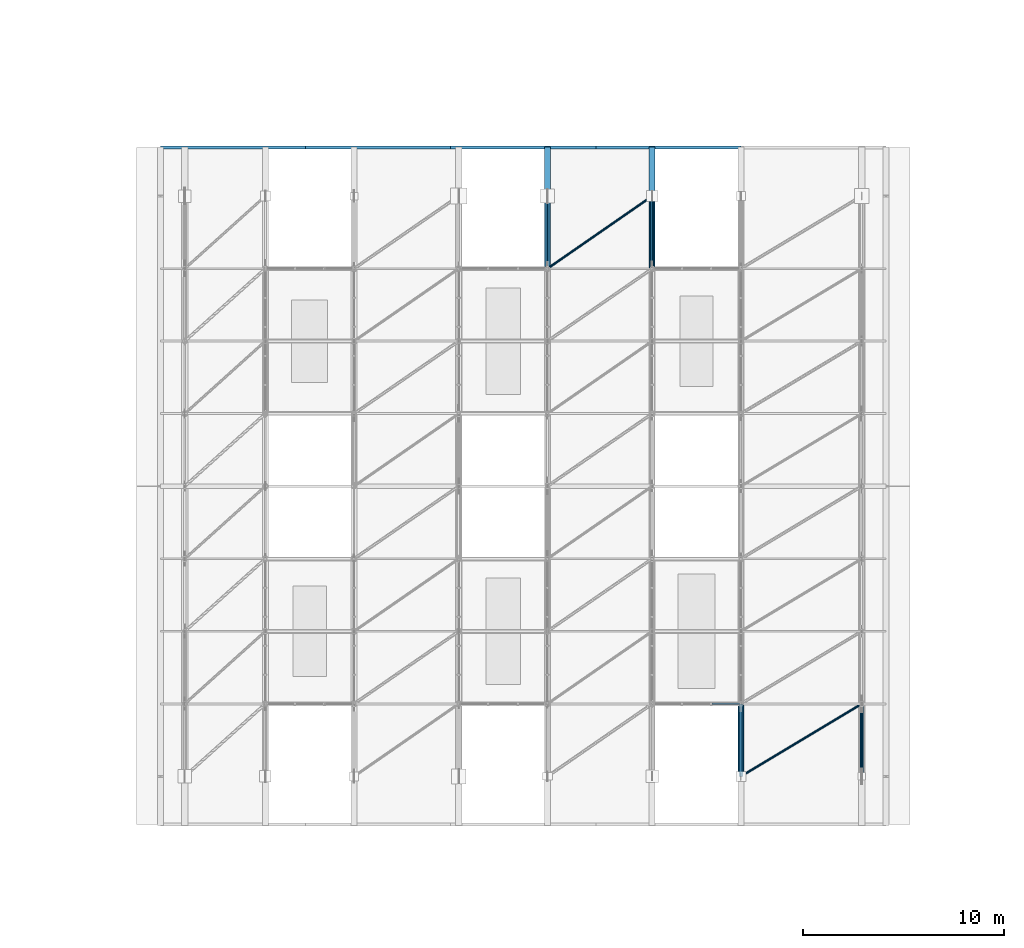
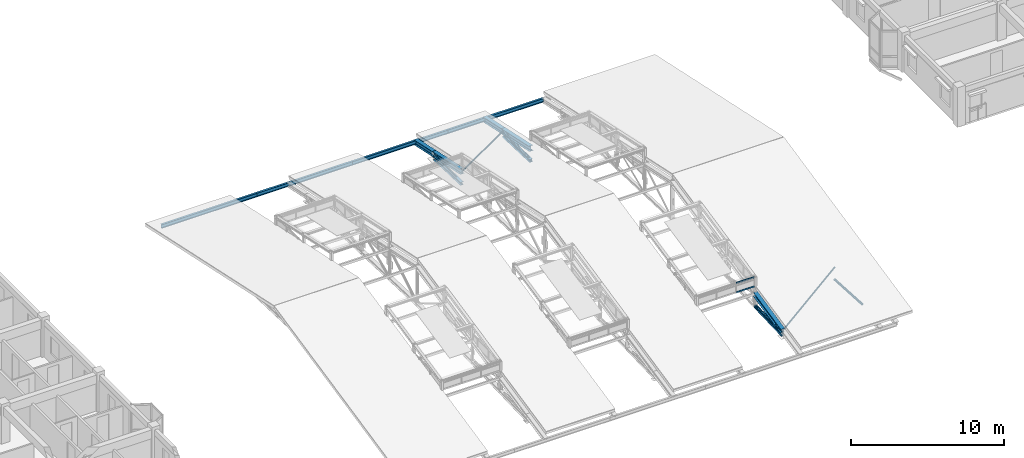
# One storey, part 42 of 124: 16 members, 4 beams, 1 element without a shape of its own.
"""IFC4 building model written with IfcOpenShell, lengths in metres."""

from ifc_helpers import new_model, si_unit, direction, frame, origin, origin_2d, place, context, subcontext, project, spatial, hollow_rectangle, hollow_circle, i_section, extrude, material, layer, layer_set, material_profile, profile_set, type_object, element, aggregate, save


model = new_model("IFC4")

# Units and contexts
model_context = context("Model", 3, precision=1e-05, world=origin(), true_north=direction((0.0, 1.0)))
body_context = subcontext(model_context, "Body", "Model", "MODEL_VIEW")
ifc_project = project(units=[si_unit("LENGTHUNIT", "METRE"), si_unit("AREAUNIT", "SQUARE_METRE"), si_unit("VOLUMEUNIT", "CUBIC_METRE"), si_unit("PLANEANGLEUNIT", "RADIAN"), si_unit("MASSUNIT", "GRAM", prefix="KILO"), si_unit("THERMODYNAMICTEMPERATUREUNIT", "KELVIN"), si_unit("POWERUNIT", "WATT")], contexts=[model_context])

# Site, building, storey
site_placement = place(None, origin())
site = spatial("IfcSite", under=ifc_project, at=site_placement, CompositionType="ELEMENT")
building_placement = place(site_placement, origin())
building = spatial("IfcBuilding", under=site, at=building_placement, Name="Tavuni Mirador Residences", CompositionType="ELEMENT")
storey_placement = place(building_placement, frame((0.0, 0.0, 7.64990234375)))
storey = spatial("IfcBuildingStorey", under=building, at=storey_placement, Name="L02", CompositionType="ELEMENT", Elevation=7.64990234375)

# Beams
ifc_material_1 = material(Name="Structural steel S355", Category="steel")
ifc_material_profile_1 = material_profile(ifc_material_1, i_section(OverallWidth=0.14990234375, OverallDepth=0.300048828125, WebThickness=0.007080078125, FlangeThickness=0.0107421875, FilletRadius=0.014892578125, at=origin_2d()), Name="IPE 300", Category="steel")
ifc_profile_set_1 = profile_set([ifc_material_profile_1], Name="Structural steel S355")
beam_type = type_object("IfcBeamType", Name="BT-ST-IPE300", PredefinedType="BEAM", material=ifc_profile_set_1)
for number, where, z_axis, x_axis, name in (
    (1, (39.60009765625, 103.199951171875, -0.6865234375), (1.0, 0.0, 0.0), (0.0, 1.0, 0.0), "HALL-ERING-N-00"),
    (2, (46.800048828125, 103.199951171875, -0.6865234375), (1.0, 0.0, 0.0), (0.0, 1.0, 0.0), "HALL-ERING-N-01"),
    (3, (54.0, 103.199951171875, -0.6865234375), (1.0, 0.0, 0.0), (0.0, 1.0, 0.0), "HALL-ERING-N-02"),
    (4, (61.199951171875, 103.199951171875, -0.6865234375), (1.0, 0.0, 0.0), (0.0, 1.0, 0.0), "HALL-ERING-N-03"),
):
    element("IfcBeam", number, at=place(storey_placement, frame(where, z_axis=z_axis, x_axis=x_axis)), inside=storey, type_object=beam_type, Name=name, PredefinedType="BEAM", context=body_context, shape_type="SweptSolid", body=[
        extrude(i_section(OverallWidth=0.14990234375, OverallDepth=0.300048828125, WebThickness=0.007080078125, FlangeThickness=0.0107421875, FilletRadius=0.014892578125, at=origin_2d()), origin(), (0.0, 0.0, 1.0), 7.199951171875),
    ])

# Curtain wall, members
ifc_material_2 = material(Name="Anodised aluminium", Category="aluminium")
ifc_layer = layer(ifc_material_2, 0.199951171875, Name="Anodised aluminium", Category="aluminium")
ifc_layer_set = layer_set([ifc_layer], Name="Anodised aluminium")
curtain_wall_type = type_object("IfcCurtainWallType", Name="CWT-HAL-01", PredefinedType="NOTDEFINED", material=ifc_layer_set)
curtain_wall_placement = place(storey_placement, origin())
curtain_wall = element("IfcCurtainWall", 5, at=curtain_wall_placement, inside=storey, type_object=curtain_wall_type, Name="CW-HALL-MON-S3-END", PredefinedType="NOTDEFINED")
ifc_material_profile_2 = material_profile(ifc_material_2, hollow_rectangle(XDim=0.06005859375, YDim=0.110107421875, WallThickness=0.00390625, at=origin_2d()), Name="ALU 60x110x4.0", Category="aluminium")
ifc_profile_set_2 = profile_set([ifc_material_profile_2], Name="Anodised aluminium")
member_type_1 = type_object("IfcMemberType", Name="CWT-110", PredefinedType="USERDEFINED", material=ifc_profile_set_2)
member_1_placement = place(storey_placement, frame((66.96337890625, 75.60009765625, 1.205078125), z_axis=(1.0, 0.0, 0.0), x_axis=(0.0, 1.0, 0.0)))
member_1 = element("IfcMember", 6, at=member_1_placement, type_object=member_type_1, Name="CW-06 transom 3.1", ObjectType="TRANSOM", PredefinedType="USERDEFINED", context=body_context, shape_type="SweptSolid", body=[
    extrude(hollow_rectangle(XDim=0.06005859375, YDim=0.110107421875, WallThickness=0.00390625, at=origin_2d()), origin(), (0.0, 0.0, 1.0), 1.376708984375),
])
member_2_placement = place(storey_placement, frame((66.96337890625, 75.60009765625, 1.93505859375), z_axis=(1.0, 0.0, 0.0), x_axis=(0.0, 1.0, 0.0)))
member_2 = element("IfcMember", 7, at=member_2_placement, type_object=member_type_1, Name="CW-06 transom 3.2", ObjectType="TRANSOM", PredefinedType="USERDEFINED", context=body_context, shape_type="SweptSolid", body=[
    extrude(hollow_rectangle(XDim=0.06005859375, YDim=0.110107421875, WallThickness=0.00390625, at=origin_2d()), origin(), (0.0, 0.0, 1.0), 1.376708984375),
])
aggregate(curtain_wall, [member_1, member_2])

# Members
ifc_material_profile_3 = material_profile(ifc_material_1, hollow_circle(Radius=0.05712890625, WallThickness=0.00634765625, at=origin_2d()), Name="CHS 114.3x6.3", Category="steel")
ifc_profile_set_3 = profile_set([ifc_material_profile_3], Name="Structural steel S355")
member_type_2 = type_object("IfcMemberType", Name="MT-BR-CHS114", PredefinedType="BRACE", material=ifc_profile_set_3)
member_3_placement = place(storey_placement, frame((58.800048828125, 97.199951171875, 0.60498046875), z_axis=(0.81607988035, 0.564999010077, -0.12161310579), x_axis=(-0.569224029849, 0.822182463838, 0.0)))
element("IfcMember", 8, at=member_3_placement, inside=storey, type_object=member_type_2, Name="HALL-RB-3-08", PredefinedType="BRACE", context=body_context, shape_type="SweptSolid", body=[
    extrude(hollow_circle(Radius=0.05712890625, WallThickness=0.00634765625, at=origin_2d()), origin(), (0.0, 0.0, 1.0), 6.371826171875),
])
member_4_placement = place(storey_placement, frame((68.39990234375, 72.0, -0.169921875), z_axis=(0.852276366217, 0.511379691416, 0.110071825617), x_axis=(-0.514506017516, 0.857486768376, 0.0)))
element("IfcMember", 9, at=member_4_placement, inside=storey, type_object=member_type_2, Name="HALL-RB-4-01", PredefinedType="BRACE", context=body_context, shape_type="SweptSolid", body=[
    extrude(hollow_circle(Radius=0.05712890625, WallThickness=0.00634765625, at=origin_2d()), origin(), (0.0, 0.0, 1.0), 7.0400390625),
])
ifc_material_profile_4 = material_profile(ifc_material_1, hollow_circle(Radius=0.084228515625, WallThickness=0.008056640625, at=origin_2d()), Name="CHS 168.3x8.0", Category="steel")
ifc_profile_set_4 = profile_set([ifc_material_profile_4], Name="Structural steel S355")
member_type_3 = type_object("IfcMemberType", Name="MT-BR-CHS168", PredefinedType="BRACE", material=ifc_profile_set_4)
member_5_placement = place(storey_placement, frame((74.39990234375, 72.0, -0.169921875), z_axis=(0.0, 0.998381455169, -0.05687240081), x_axis=(-1.0, 0.0, 0.0)))
element("IfcMember", 10, at=member_5_placement, inside=storey, type_object=member_type_3, Name="Roof truss TR-8 web diagonal 1", PredefinedType="BRACE", context=body_context, shape_type="SweptSolid", body=[
    extrude(hollow_circle(Radius=0.084228515625, WallThickness=0.008056640625, at=origin_2d()), origin(), (0.0, 0.0, 1.0), 3.60595703125),
])
ifc_material_profile_5 = material_profile(ifc_material_1, hollow_circle(Radius=0.096923828125, WallThickness=0.010009765625, at=origin_2d()), Name="CHS 193.7x10.0", Category="steel")
ifc_profile_set_5 = profile_set([ifc_material_profile_5], Name="Structural steel S355")
member_type_4 = type_object("IfcMemberType", Name="MT-BR-CHS193", PredefinedType="BRACE", material=ifc_profile_set_5)
for number, where, z_axis, x_axis, name in (
    (11, (64.0, 97.199951171875, -0.375), (0.0, 0.998381455169, 0.05687240081), (-1.0, 0.0, 0.0), "Roof truss TR-6 web diagonal 8"),
    (12, (68.39990234375, 72.0, -0.169921875), (0.0, 0.998381455169, -0.05687240081), (-1.0, 0.0, 0.0), "Roof truss TR-7 web diagonal 1"),
):
    element("IfcMember", number, at=place(storey_placement, frame(where, z_axis=z_axis, x_axis=x_axis)), inside=storey, type_object=member_type_4, Name=name, PredefinedType="BRACE", context=body_context, shape_type="SweptSolid", body=[
        extrude(hollow_circle(Radius=0.096923828125, WallThickness=0.010009765625, at=origin_2d()), origin(), (0.0, 0.0, 1.0), 3.60595703125),
    ])
ifc_material_profile_6 = material_profile(ifc_material_1, hollow_rectangle(XDim=0.06005859375, YDim=0.10009765625, WallThickness=0.0048828125, at=origin_2d()), Name="RHS 100x60x5.0", Category="steel")
ifc_profile_set_6 = profile_set([ifc_material_profile_6], Name="Structural steel S355")
member_type_5 = type_object("IfcMemberType", Name="MT-BR-RHS100", PredefinedType="BRACE", material=ifc_profile_set_6)
member_6_placement = place(storey_placement, frame((58.800048828125, 97.199951171875, -0.375), z_axis=(0.0, 0.998381455169, 0.05687240081), x_axis=(-1.0, 0.0, 0.0)))
element("IfcMember", 13, at=member_6_placement, inside=storey, type_object=member_type_5, Name="Roof truss TR-5 web diagonal 8", PredefinedType="BRACE", context=body_context, shape_type="SweptSolid", body=[
    extrude(hollow_rectangle(XDim=0.06005859375, YDim=0.10009765625, WallThickness=0.0048828125, at=origin_2d()), origin(), (0.0, 0.0, 1.0), 3.60595703125),
])
ifc_material_profile_7 = material_profile(ifc_material_1, i_section(OverallWidth=0.239990234375, OverallDepth=0.22998046875, WebThickness=0.007568359375, FlangeThickness=0.011962890625, FilletRadius=0.02099609375, at=origin_2d()), Name="HEA 240", Category="steel")
ifc_profile_set_7 = profile_set([ifc_material_profile_7], Name="Structural steel S355")
member_type_6 = type_object("IfcMemberType", Name="MT-CH-HEA240", PredefinedType="CHORD", material=ifc_profile_set_7)
for number, where, z_axis, x_axis, name in (
    (14, (58.800048828125, 97.199951171875, -0.375), (0.0, 0.999397760821, -0.034700369832), (-1.0, 0.0, 0.0), "Roof truss TR-5 bottom chord 8"),
    (15, (64.0, 97.199951171875, -0.375), (0.0, 0.999397760821, -0.034700369832), (-1.0, 0.0, 0.0), "Roof truss TR-6 bottom chord 8"),
):
    element("IfcMember", number, at=place(storey_placement, frame(where, z_axis=z_axis, x_axis=x_axis)), inside=storey, type_object=member_type_6, Name=name, PredefinedType="CHORD", context=body_context, shape_type="SweptSolid", body=[
        extrude(i_section(OverallWidth=0.239990234375, OverallDepth=0.22998046875, WebThickness=0.007568359375, FlangeThickness=0.011962890625, FilletRadius=0.02099609375, at=origin_2d()), origin(), (0.0, 0.0, 1.0), 3.602294921875),
    ])
ifc_material_profile_8 = material_profile(ifc_material_1, i_section(OverallWidth=0.300048828125, OverallDepth=0.330078125, WebThickness=0.009521484375, FlangeThickness=0.0166015625, FilletRadius=0.027099609375, at=origin_2d()), Name="HEA 340", Category="steel")
ifc_profile_set_8 = profile_set([ifc_material_profile_8], Name="Structural steel S355")
member_type_7 = type_object("IfcMemberType", Name="MT-CH-HEA340", PredefinedType="CHORD", material=ifc_profile_set_8)
member_7_placement = place(storey_placement, frame((68.39990234375, 72.0, -0.169921875), z_axis=(0.0, 0.977609904647, 0.210425460284), x_axis=(-1.0, 0.0, 0.0)))
element("IfcMember", 16, at=member_7_placement, inside=storey, type_object=member_type_7, Name="Roof truss TR-7 top chord 1", PredefinedType="CHORD", context=body_context, shape_type="SweptSolid", body=[
    extrude(i_section(OverallWidth=0.300048828125, OverallDepth=0.330078125, WebThickness=0.009521484375, FlangeThickness=0.0166015625, FilletRadius=0.027099609375, at=origin_2d()), origin(), (0.0, 0.0, 1.0), 3.6826171875),
])
ifc_material_profile_9 = material_profile(ifc_material_1, i_section(OverallWidth=0.300048828125, OverallDepth=0.389892578125, WebThickness=0.010986328125, FlangeThickness=0.01904296875, FilletRadius=0.027099609375, at=origin_2d()), Name="HEA 400", Category="steel")
ifc_profile_set_9 = profile_set([ifc_material_profile_9], Name="Structural steel S355")
member_type_8 = type_object("IfcMemberType", Name="MT-CH-HEA400", PredefinedType="CHORD", material=ifc_profile_set_9)
member_8_placement = place(storey_placement, frame((58.800048828125, 100.800048828125, -0.169921875), z_axis=(0.0, 0.977606968822, -0.210439099291), x_axis=(-1.0, 0.0, 0.0)))
element("IfcMember", 17, at=member_8_placement, inside=storey, type_object=member_type_8, Name="Roof truss TR-5 north eave chord", PredefinedType="CHORD", context=body_context, shape_type="SweptSolid", body=[
    extrude(i_section(OverallWidth=0.300048828125, OverallDepth=0.389892578125, WebThickness=0.010986328125, FlangeThickness=0.01904296875, FilletRadius=0.027099609375, at=origin_2d()), origin(), (0.0, 0.0, 1.0), 2.454833984375),
])
member_9_placement = place(storey_placement, frame((58.800048828125, 97.199951171875, 0.60498046875), z_axis=(0.0, 0.977609904647, -0.210425460284), x_axis=(-1.0, 0.0, 0.0)))
element("IfcMember", 18, at=member_9_placement, inside=storey, type_object=member_type_8, Name="Roof truss TR-5 top chord 8", PredefinedType="CHORD", context=body_context, shape_type="SweptSolid", body=[
    extrude(i_section(OverallWidth=0.300048828125, OverallDepth=0.389892578125, WebThickness=0.010986328125, FlangeThickness=0.01904296875, FilletRadius=0.027099609375, at=origin_2d()), origin(), (0.0, 0.0, 1.0), 3.6826171875),
])
member_10_placement = place(storey_placement, frame((64.0, 100.800048828125, -0.169921875), z_axis=(0.0, 0.977606968822, -0.210439099291), x_axis=(-1.0, 0.0, 0.0)))
element("IfcMember", 19, at=member_10_placement, inside=storey, type_object=member_type_8, Name="Roof truss TR-6 north eave chord", PredefinedType="CHORD", context=body_context, shape_type="SweptSolid", body=[
    extrude(i_section(OverallWidth=0.300048828125, OverallDepth=0.389892578125, WebThickness=0.010986328125, FlangeThickness=0.01904296875, FilletRadius=0.027099609375, at=origin_2d()), origin(), (0.0, 0.0, 1.0), 2.454833984375),
])
member_11_placement = place(storey_placement, frame((64.0, 97.199951171875, 0.60498046875), z_axis=(0.0, 0.977609904647, -0.210425460284), x_axis=(-1.0, 0.0, 0.0)))
element("IfcMember", 20, at=member_11_placement, inside=storey, type_object=member_type_8, Name="Roof truss TR-6 top chord 8", PredefinedType="CHORD", context=body_context, shape_type="SweptSolid", body=[
    extrude(i_section(OverallWidth=0.300048828125, OverallDepth=0.389892578125, WebThickness=0.010986328125, FlangeThickness=0.01904296875, FilletRadius=0.027099609375, at=origin_2d()), origin(), (0.0, 0.0, 1.0), 3.6826171875),
])
ifc_material_profile_10 = material_profile(ifc_material_1, i_section(OverallWidth=0.199951171875, OverallDepth=0.199951171875, WebThickness=0.009033203125, FlangeThickness=0.014892578125, FilletRadius=0.01806640625, at=origin_2d()), Name="HEB 200", Category="steel")
ifc_profile_set_10 = profile_set([ifc_material_profile_10], Name="Structural steel S355")
member_type_9 = type_object("IfcMemberType", Name="MT-CH-HEB200", PredefinedType="CHORD", material=ifc_profile_set_10)
member_12_placement = place(storey_placement, frame((68.39990234375, 72.0, -0.5), z_axis=(0.0, 0.999397760821, 0.034700369832), x_axis=(-1.0, 0.0, 0.0)))
element("IfcMember", 21, at=member_12_placement, inside=storey, type_object=member_type_9, Name="Roof truss TR-7 bottom chord 1", PredefinedType="CHORD", context=body_context, shape_type="SweptSolid", body=[
    extrude(i_section(OverallWidth=0.199951171875, OverallDepth=0.199951171875, WebThickness=0.009033203125, FlangeThickness=0.014892578125, FilletRadius=0.01806640625, at=origin_2d()), origin(), (0.0, 0.0, 1.0), 3.602294921875),
])

save(model, "model.ifc")
